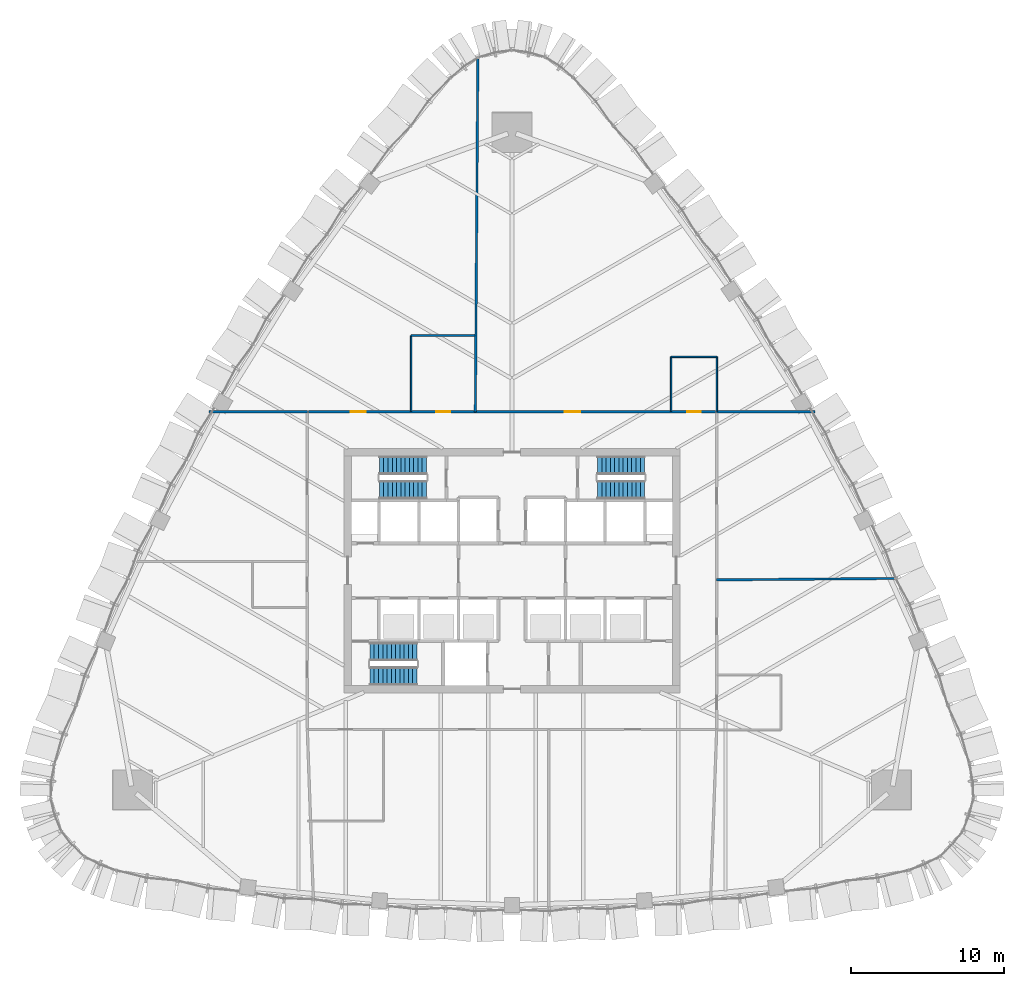
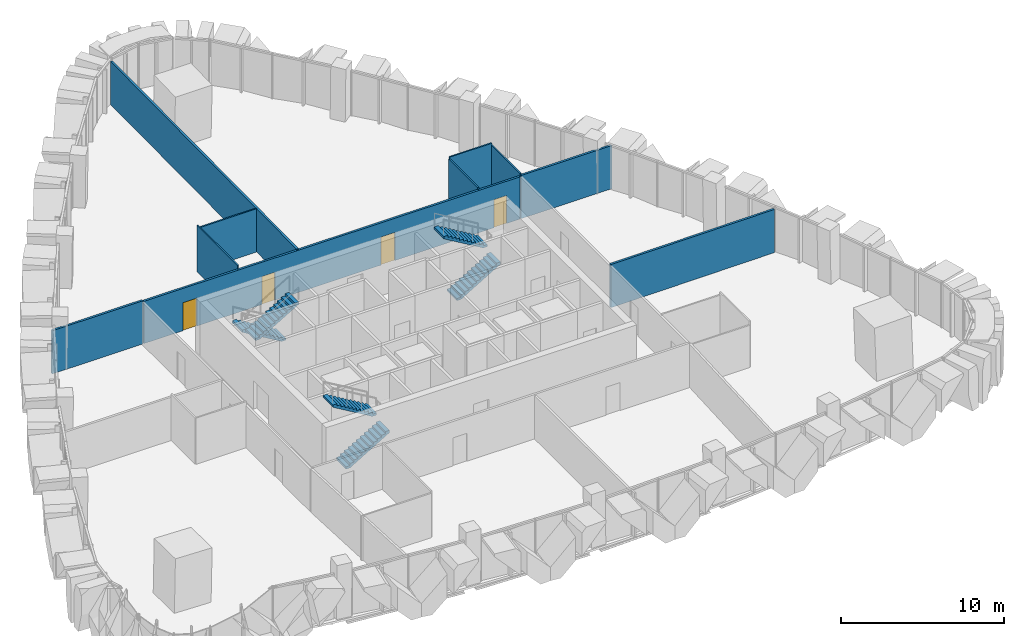
# One storey, part 14 of 18: 10 walls, 6 stair flights, 4 doors, 4 openings, 3 elements without a shape of their own.
"""IFC4 building model written with IfcOpenShell, lengths in metres."""

from ifc_helpers import new_model, si_unit, direction, frame, frame_2d, origin, place, context, subcontext, project, spatial, polyline, rectangle, outline, extrude, material, layer, layer_set, type_object, element, fill, aggregate, save


model = new_model("IFC4")

# Units and contexts
model_context = context("Model", 3, precision=1e-05, world=origin(), true_north=direction((0.0, 1.0)))
body_context = subcontext(model_context, "Body", "Model", "MODEL_VIEW")
ifc_project = project(units=[si_unit("LENGTHUNIT", "METRE"), si_unit("AREAUNIT", "SQUARE_METRE"), si_unit("VOLUMEUNIT", "CUBIC_METRE"), si_unit("PLANEANGLEUNIT", "RADIAN"), si_unit("MASSUNIT", "GRAM", prefix="KILO")], contexts=[model_context])

# Site, building, storey
site_placement = place(None, origin())
site = spatial("IfcSite", under=ifc_project, at=site_placement, CompositionType="ELEMENT")
building_placement = place(site_placement, origin())
building = spatial("IfcBuilding", under=site, at=building_placement, Name="Sierra Prisma Convention Tower", CompositionType="ELEMENT")
storey_placement = place(building_placement, frame((0.0, 0.0, 133.800048828125)))
storey = spatial("IfcBuildingStorey", under=building, at=storey_placement, Name="L28", CompositionType="ELEMENT", Elevation=133.800048828125)

# Walls
ifc_material_1 = material(Name="Gypsum board partition", Category="gypsum")
ifc_layer_1 = layer(ifc_material_1, 0.10009765625)
ifc_layer_set_1 = layer_set([ifc_layer_1], Name="Bathroom partition 100")
wall_type_1 = type_object("IfcWallType", Name="Bathroom partition 100", PredefinedType="PARTITIONING", material=ifc_layer_set_1)
wall_1_placement = place(storey_placement, frame((-6.60009765625, 10.429931640625, 0.0), z_axis=(0.0, 0.0, 1.0), x_axis=(0.0, 1.0, 0.0)))
element("IfcWall", 1, at=wall_1_placement, inside=storey, type_object=wall_type_1, Name="Partition L28 bath 5", PredefinedType="PARTITIONING", context=body_context, shape_type="SweptSolid", body=[
    extrude(rectangle(XDim=4.969970703125, YDim=0.10009765625, at=frame_2d((2.48486328125, 0.0))), origin(), (0.0, 0.0, 1.0), 3.449951171875),
])
wall_2_placement = place(storey_placement, frame((-6.60009765625, 15.39990234375, 0.0), z_axis=(0.0, 0.0, 1.0), x_axis=(1.0, 0.0, 0.0)))
element("IfcWall", 2, at=wall_2_placement, inside=storey, type_object=wall_type_1, Name="Partition L28 bath 6", PredefinedType="PARTITIONING", context=body_context, shape_type="SweptSolid", body=[
    extrude(rectangle(XDim=4.170166015625, YDim=0.10009765625, at=frame_2d((2.0849609375, 0.0))), origin(), (0.0, 0.0, 1.0), 3.2470703125),
])
wall_3_placement = place(storey_placement, frame((10.419921875, 10.429931640625, 0.0), z_axis=(0.0, 0.0, 1.0), x_axis=(0.0, 1.0, 0.0)))
element("IfcWall", 3, at=wall_3_placement, inside=storey, type_object=wall_type_1, Name="Partition L28 bath 7", PredefinedType="PARTITIONING", context=body_context, shape_type="SweptSolid", body=[
    extrude(rectangle(XDim=3.570068359375, YDim=0.10009765625, at=frame_2d((1.78515625, 0.0))), origin(), (0.0, 0.0, 1.0), 3.31689453125),
])
wall_4_placement = place(storey_placement, frame((10.419921875, 14.0, 0.0), z_axis=(0.0, 0.0, 1.0), x_axis=(1.0, 0.0, 0.0)))
element("IfcWall", 4, at=wall_4_placement, inside=storey, type_object=wall_type_1, Name="Partition L28 bath 8", PredefinedType="PARTITIONING", context=body_context, shape_type="SweptSolid", body=[
    extrude(rectangle(XDim=3.0, YDim=0.10009765625, at=frame_2d((1.5, 0.0))), origin(), (0.0, 0.0, 1.0), 3.449951171875),
])
wall_5_placement = place(storey_placement, frame((13.419921875, 14.0, 0.0), z_axis=(0.0, 0.0, 1.0), x_axis=(0.0, -1.0, 0.0)))
element("IfcWall", 5, at=wall_5_placement, inside=storey, type_object=wall_type_1, Name="Partition L28 bath 9", PredefinedType="PARTITIONING", context=body_context, shape_type="SweptSolid", body=[
    extrude(rectangle(XDim=3.570068359375, YDim=0.10009765625, at=frame_2d((1.78515625, 0.0))), origin(), (0.0, 0.0, 1.0), 3.31689453125),
])

# Wall, openings, doors
ifc_material_2 = material(Name="Gypsum board partition", Category="gypsum")
ifc_layer_2 = layer(ifc_material_2, 0.14990234375)
ifc_layer_set_2 = layer_set([ifc_layer_2], Name="Corridor wall 150 gypsum EI 60")
wall_type_2 = type_object("IfcWallType", Name="Corridor wall 150 gypsum EI 60", PredefinedType="PARTITIONING", material=ifc_layer_set_2)
wall_6_placement = place(storey_placement, frame((13.320068359375, 10.39990234375, 0.0), z_axis=(0.0, 0.0, 1.0), x_axis=(-1.0, 0.0, 0.0)))
wall_6 = element("IfcWall", 6, at=wall_6_placement, inside=storey, type_object=wall_type_2, Name="Partition L28 corr 3", PredefinedType="PARTITIONING", context=body_context, shape_type="SweptSolid", body=[
    extrude(rectangle(XDim=26.64013671875, YDim=0.14990234375, at=frame_2d((13.320068359375, 0.0))), origin(), (0.0, 0.0, 1.0), 3.166015625),
])
opening_1_placement = place(wall_6_placement, frame((0.949951171875, 0.0, 0.0)))
opening_1 = element("IfcOpeningElement", 7, at=opening_1_placement, cuts=wall_6, Name="Opening L28-D024", PredefinedType="OPENING", context=body_context, shape_type="SweptSolid", body=[
    extrude(rectangle(XDim=0.89990234375, YDim=2.10009765625, at=frame_2d((0.449951171875, 1.050048828125))), frame((0.0, 0.074951171875, 0.0), z_axis=(0.0, -1.0, 0.0), x_axis=(1.0, 0.0, 0.0)), (0.0, 0.0, 1.0), 0.14990234375),
])
opening_2_placement = place(wall_6_placement, frame((8.860107421875, 0.0, 0.0)))
opening_2 = element("IfcOpeningElement", 8, at=opening_2_placement, cuts=wall_6, Name="Opening L28-D025", PredefinedType="OPENING", context=body_context, shape_type="SweptSolid", body=[
    extrude(rectangle(XDim=1.0, YDim=2.10009765625, at=frame_2d((0.5, 1.050048828125))), frame((0.0, 0.074951171875, 0.0), z_axis=(0.0, -1.0, 0.0), x_axis=(1.0, 0.0, 0.0)), (0.0, 0.0, 1.0), 0.14990234375),
])
opening_3_placement = place(wall_6_placement, frame((17.3701171875, 0.0, 0.0)))
opening_3 = element("IfcOpeningElement", 9, at=opening_3_placement, cuts=wall_6, Name="Opening L28-D026", PredefinedType="OPENING", context=body_context, shape_type="SweptSolid", body=[
    extrude(rectangle(XDim=0.89990234375, YDim=2.10009765625, at=frame_2d((0.449951171875, 1.050048828125))), frame((0.0, 0.074951171875, 0.0), z_axis=(0.0, -1.0, 0.0), x_axis=(1.0, 0.0, 0.0)), (0.0, 0.0, 1.0), 0.14990234375),
])
opening_4_placement = place(wall_6_placement, frame((22.8798828125, 0.0, 0.0)))
opening_4 = element("IfcOpeningElement", 10, at=opening_4_placement, cuts=wall_6, Name="Opening L28-D027", PredefinedType="OPENING", context=body_context, shape_type="SweptSolid", body=[
    extrude(rectangle(XDim=1.0, YDim=2.10009765625, at=frame_2d((0.5, 1.050048828125))), frame((0.0, 0.074951171875, 0.0), z_axis=(0.0, -1.0, 0.0), x_axis=(1.0, 0.0, 0.0)), (0.0, 0.0, 1.0), 0.14990234375),
])
ifc_material_3 = material(Name="Steel fire door leaf", Category="steel")
door_type_1 = type_object("IfcDoorType", Name="Door 1000x2100 FD30S", OperationType="SINGLE_SWING_LEFT", PredefinedType="DOOR", material=ifc_material_3)
door_1_placement = place(opening_2_placement, origin())
door_1 = element("IfcDoor", 11, at=door_1_placement, inside=storey, type_object=door_type_1, Name="Door L28 3", OperationType="SINGLE_SWING_RIGHT", OverallHeight=2.10009765625, OverallWidth=1.0, PredefinedType="DOOR", context=body_context, shape_type="SweptSolid", body=[
    extrude(rectangle(XDim=1.0, YDim=2.10009765625, at=frame_2d((0.5, 1.050048828125))), frame((0.0, 0.02490234375, 0.0), z_axis=(0.0, -1.0, 0.0), x_axis=(1.0, 0.0, 0.0)), (0.0, 0.0, 1.0), 0.050048828125),
])
fill(opening_2, door_1)
door_2_placement = place(opening_4_placement, origin())
door_2 = element("IfcDoor", 12, at=door_2_placement, inside=storey, type_object=door_type_1, Name="Door L28 5", OperationType="SINGLE_SWING_RIGHT", OverallHeight=2.10009765625, OverallWidth=1.0, PredefinedType="DOOR", context=body_context, shape_type="SweptSolid", body=[
    extrude(rectangle(XDim=1.0, YDim=2.10009765625, at=frame_2d((0.5, 1.050048828125))), frame((0.0, 0.02490234375, 0.0), z_axis=(0.0, -1.0, 0.0), x_axis=(1.0, 0.0, 0.0)), (0.0, 0.0, 1.0), 0.050048828125),
])
fill(opening_4, door_2)
ifc_material_4 = material(Name="Steel fire door leaf", Category="steel")
door_type_2 = type_object("IfcDoorType", Name="Door 900x2100 FD30S", OperationType="SINGLE_SWING_LEFT", PredefinedType="DOOR", material=ifc_material_4)
door_3_placement = place(opening_1_placement, origin())
door_3 = element("IfcDoor", 13, at=door_3_placement, inside=storey, type_object=door_type_2, Name="Door L28 2", OperationType="SINGLE_SWING_RIGHT", OverallHeight=2.10009765625, OverallWidth=0.89990234375, PredefinedType="DOOR", context=body_context, shape_type="SweptSolid", body=[
    extrude(rectangle(XDim=0.89990234375, YDim=2.10009765625, at=frame_2d((0.449951171875, 1.050048828125))), frame((0.0, 0.02490234375, 0.0), z_axis=(0.0, -1.0, 0.0), x_axis=(1.0, 0.0, 0.0)), (0.0, 0.0, 1.0), 0.050048828125),
])
fill(opening_1, door_3)
door_4_placement = place(opening_3_placement, origin())
door_4 = element("IfcDoor", 14, at=door_4_placement, inside=storey, type_object=door_type_2, Name="Door L28 4", OperationType="SINGLE_SWING_RIGHT", OverallHeight=2.10009765625, OverallWidth=0.89990234375, PredefinedType="DOOR", context=body_context, shape_type="SweptSolid", body=[
    extrude(rectangle(XDim=0.89990234375, YDim=2.10009765625, at=frame_2d((0.449951171875, 1.050048828125))), frame((0.0, 0.02490234375, 0.0), z_axis=(0.0, -1.0, 0.0), x_axis=(1.0, 0.0, 0.0)), (0.0, 0.0, 1.0), 0.050048828125),
])
fill(opening_3, door_4)

# Walls
ifc_material_5 = material(Name="Gypsum board partition", Category="gypsum")
ifc_layer_3 = layer(ifc_material_5, 0.14990234375)
ifc_layer_set_3 = layer_set([ifc_layer_3], Name="Party wall 150 gypsum")
wall_type_3 = type_object("IfcWallType", Name="Party wall 150 gypsum", PredefinedType="PARTITIONING", material=ifc_layer_set_3)
wall_7_placement = place(storey_placement, frame((-13.39990234375, 10.39990234375, 0.0), z_axis=(0.0, 0.0, 1.0), x_axis=(-1.0, 0.0, 0.0)))
element("IfcWall", 15, at=wall_7_placement, inside=storey, type_object=wall_type_3, Name="Partition L28 party 2", PredefinedType="PARTITIONING", context=body_context, shape_type="SweptSolid", body=[
    extrude(rectangle(XDim=6.427001953125, YDim=0.14990234375, at=frame_2d((3.21337890625, 0.0))), origin(), (0.0, 0.0, 1.0), 3.23388671875),
])
wall_8_placement = place(storey_placement, frame((-2.39990234375, 10.39990234375, 0.0), z_axis=(0.0, 0.0, 1.0), x_axis=(0.007059269278, 0.999975083048, 0.0)))
element("IfcWall", 16, at=wall_8_placement, inside=storey, type_object=wall_type_3, Name="Partition L28 party 4", PredefinedType="PARTITIONING", context=body_context, shape_type="SweptSolid", body=[
    extrude(rectangle(XDim=23.102294921875, YDim=0.14990234375, at=frame_2d((11.55126953125, 0.0))), origin(), (0.0, 0.0, 1.0), 3.23388671875),
])
wall_9_placement = place(storey_placement, frame((25.039794921875, -0.506103515625, 0.0), z_axis=(0.0, 0.0, 1.0), x_axis=(-0.999967397389, -0.008074909243, 0.0)))
element("IfcWall", 17, at=wall_9_placement, inside=storey, type_object=wall_type_3, Name="Partition L28 party 7", PredefinedType="PARTITIONING", context=body_context, shape_type="SweptSolid", body=[
    extrude(rectangle(XDim=11.640380859375, YDim=0.14990234375, at=frame_2d((5.8203125, 0.0))), origin(), (0.0, 0.0, 1.0), 3.23388671875),
])
wall_10_placement = place(storey_placement, frame((13.39990234375, 10.39990234375, 0.0), z_axis=(0.0, 0.0, 1.0), x_axis=(1.0, 0.0, 0.0)))
element("IfcWall", 18, at=wall_10_placement, inside=storey, type_object=wall_type_3, Name="Partition L28 party 8", PredefinedType="PARTITIONING", context=body_context, shape_type="SweptSolid", body=[
    extrude(rectangle(XDim=6.427001953125, YDim=0.14990234375, at=frame_2d((3.21337890625, 0.0))), origin(), (0.0, 0.0, 1.0), 3.23388671875),
])

# Stair, stair flights
ifc_material_6 = material(Name="Concrete C30/37", Category="concrete")
stair_type = type_object("IfcStairType", Name="Stair dog-leg 1200 RC", PredefinedType="HALF_TURN_STAIR", material=ifc_material_6)
stair_1_placement = place(storey_placement, origin())
stair_1 = element("IfcStair", 19, at=stair_1_placement, inside=storey, type_object=stair_type, Name="L28 S1", PredefinedType="HALF_TURN_STAIR")
ifc_material_7 = material(Name="Concrete C30/37", Category="concrete")
stair_flight_type = type_object("IfcStairFlightType", Name="Stair flight RC 1200", PredefinedType="STRAIGHT", material=ifc_material_7)
stair_flight_1_placement = place(storey_placement, frame((-9.300048828125, -6.89990234375, 0.0), z_axis=(0.0, 0.0, 1.0), x_axis=(1.0, 0.0, 0.0)))
stair_flight_1 = element("IfcStairFlight", 20, at=stair_flight_1_placement, type_object=stair_flight_type, Name="S1 flight 1", NumberOfRisers=12, NumberOfTreads=11, PredefinedType="STRAIGHT", RiserHeight=0.166666667, TreadLength=0.28, context=body_context, shape_type="SweptSolid", body=[
    extrude(outline(polyline([(0.0, 0.0), (0.0, 0.166748046875), (0.280029296875, 0.166748046875), (0.280029296875, 0.333251953125), (0.56005859375, 0.333251953125), (0.56005859375, 0.5), (0.840087890625, 0.5), (0.840087890625, 0.666748046875), (1.1201171875, 0.666748046875), (1.1201171875, 0.833251953125), (1.39990234375, 0.833251953125), (1.39990234375, 1.0), (1.679931640625, 1.0), (1.679931640625, 1.166748046875), (1.9599609375, 1.166748046875), (1.9599609375, 1.333251953125), (2.239990234375, 1.333251953125), (2.239990234375, 1.5), (2.52001953125, 1.5), (2.52001953125, 1.666748046875), (2.800048828125, 1.666748046875), (2.800048828125, 1.833251953125), (3.080078125, 1.833251953125), (3.080078125, 2.0), (3.080078125, 1.658935546875), (0.29296875, 0.0), (0.0, 0.0)])), frame((0.0, 0.60009765625, 0.0), z_axis=(0.0, -1.0, 0.0), x_axis=(1.0, 0.0, 0.0)), (0.0, 0.0, 1.0), 1.199951171875),
])
stair_flight_2_placement = place(storey_placement, frame((-6.219970703125, -5.300048828125, 2.0), z_axis=(0.0, 0.0, 1.0), x_axis=(-1.0, 0.0, 0.0)))
stair_flight_2 = element("IfcStairFlight", 21, at=stair_flight_2_placement, type_object=stair_flight_type, Name="S1 flight 2", NumberOfRisers=12, NumberOfTreads=11, PredefinedType="STRAIGHT", RiserHeight=0.166666667, TreadLength=0.28, context=body_context, shape_type="SweptSolid", body=[
    extrude(outline(polyline([(0.0, 0.0), (0.0, 0.166748046875), (0.280029296875, 0.166748046875), (0.280029296875, 0.333251953125), (0.56005859375, 0.333251953125), (0.56005859375, 0.5), (0.840087890625, 0.5), (0.840087890625, 0.666748046875), (1.1201171875, 0.666748046875), (1.1201171875, 0.833251953125), (1.39990234375, 0.833251953125), (1.39990234375, 1.0), (1.679931640625, 1.0), (1.679931640625, 1.166748046875), (1.9599609375, 1.166748046875), (1.9599609375, 1.333251953125), (2.239990234375, 1.333251953125), (2.239990234375, 1.5), (2.52001953125, 1.5), (2.52001953125, 1.666748046875), (2.800048828125, 1.666748046875), (2.800048828125, 1.833251953125), (3.080078125, 1.833251953125), (3.080078125, 2.0), (3.080078125, 1.658935546875), (0.29296875, 0.0), (0.0, 0.0)])), frame((0.0, 0.60009765625, 0.0), z_axis=(0.0, -1.0, 0.0), x_axis=(1.0, 0.0, 0.0)), (0.0, 0.0, 1.0), 1.199951171875),
])
aggregate(stair_1, [stair_flight_1, stair_flight_2])

stair_2_placement = place(storey_placement, origin())
stair_2 = element("IfcStair", 22, at=stair_2_placement, inside=storey, type_object=stair_type, Name="L28 S3", PredefinedType="HALF_TURN_STAIR")
stair_flight_3_placement = place(storey_placement, frame((-5.60009765625, 6.89990234375, 0.0), z_axis=(0.0, 0.0, 1.0), x_axis=(-1.0, 0.0, 0.0)))
stair_flight_3 = element("IfcStairFlight", 23, at=stair_flight_3_placement, type_object=stair_flight_type, Name="S3 flight 1", NumberOfRisers=12, NumberOfTreads=11, PredefinedType="STRAIGHT", RiserHeight=0.166666667, TreadLength=0.28, context=body_context, shape_type="SweptSolid", body=[
    extrude(outline(polyline([(0.0, 0.0), (0.0, 0.166748046875), (0.280029296875, 0.166748046875), (0.280029296875, 0.333251953125), (0.56005859375, 0.333251953125), (0.56005859375, 0.5), (0.840087890625, 0.5), (0.840087890625, 0.666748046875), (1.1201171875, 0.666748046875), (1.1201171875, 0.833251953125), (1.39990234375, 0.833251953125), (1.39990234375, 1.0), (1.679931640625, 1.0), (1.679931640625, 1.166748046875), (1.9599609375, 1.166748046875), (1.9599609375, 1.333251953125), (2.239990234375, 1.333251953125), (2.239990234375, 1.5), (2.52001953125, 1.5), (2.52001953125, 1.666748046875), (2.800048828125, 1.666748046875), (2.800048828125, 1.833251953125), (3.080078125, 1.833251953125), (3.080078125, 2.0), (3.080078125, 1.658935546875), (0.29296875, 0.0), (0.0, 0.0)])), frame((0.0, 0.60009765625, 0.0), z_axis=(0.0, -1.0, 0.0), x_axis=(1.0, 0.0, 0.0)), (0.0, 0.0, 1.0), 1.199951171875),
])
stair_flight_4_placement = place(storey_placement, frame((-8.679931640625, 5.300048828125, 2.0), z_axis=(0.0, 0.0, 1.0), x_axis=(1.0, 0.0, 0.0)))
stair_flight_4 = element("IfcStairFlight", 24, at=stair_flight_4_placement, type_object=stair_flight_type, Name="S3 flight 2", NumberOfRisers=12, NumberOfTreads=11, PredefinedType="STRAIGHT", RiserHeight=0.166666667, TreadLength=0.28, context=body_context, shape_type="SweptSolid", body=[
    extrude(outline(polyline([(0.0, 0.0), (0.0, 0.166748046875), (0.280029296875, 0.166748046875), (0.280029296875, 0.333251953125), (0.56005859375, 0.333251953125), (0.56005859375, 0.5), (0.840087890625, 0.5), (0.840087890625, 0.666748046875), (1.1201171875, 0.666748046875), (1.1201171875, 0.833251953125), (1.39990234375, 0.833251953125), (1.39990234375, 1.0), (1.679931640625, 1.0), (1.679931640625, 1.166748046875), (1.9599609375, 1.166748046875), (1.9599609375, 1.333251953125), (2.239990234375, 1.333251953125), (2.239990234375, 1.5), (2.52001953125, 1.5), (2.52001953125, 1.666748046875), (2.800048828125, 1.666748046875), (2.800048828125, 1.833251953125), (3.080078125, 1.833251953125), (3.080078125, 2.0), (3.080078125, 1.658935546875), (0.29296875, 0.0), (0.0, 0.0)])), frame((0.0, 0.60009765625, 0.0), z_axis=(0.0, -1.0, 0.0), x_axis=(1.0, 0.0, 0.0)), (0.0, 0.0, 1.0), 1.199951171875),
])
aggregate(stair_2, [stair_flight_3, stair_flight_4])

stair_3_placement = place(storey_placement, origin())
stair_3 = element("IfcStair", 25, at=stair_3_placement, inside=storey, type_object=stair_type, Name="L28 S4", PredefinedType="HALF_TURN_STAIR")
stair_flight_5_placement = place(storey_placement, frame((5.60009765625, 5.300048828125, 0.0), z_axis=(0.0, 0.0, 1.0), x_axis=(1.0, 0.0, 0.0)))
stair_flight_5 = element("IfcStairFlight", 26, at=stair_flight_5_placement, type_object=stair_flight_type, Name="S4 flight 1", NumberOfRisers=12, NumberOfTreads=11, PredefinedType="STRAIGHT", RiserHeight=0.166666667, TreadLength=0.28, context=body_context, shape_type="SweptSolid", body=[
    extrude(outline(polyline([(0.0, 0.0), (0.0, 0.166748046875), (0.280029296875, 0.166748046875), (0.280029296875, 0.333251953125), (0.56005859375, 0.333251953125), (0.56005859375, 0.5), (0.840087890625, 0.5), (0.840087890625, 0.666748046875), (1.1201171875, 0.666748046875), (1.1201171875, 0.833251953125), (1.39990234375, 0.833251953125), (1.39990234375, 1.0), (1.679931640625, 1.0), (1.679931640625, 1.166748046875), (1.9599609375, 1.166748046875), (1.9599609375, 1.333251953125), (2.239990234375, 1.333251953125), (2.239990234375, 1.5), (2.52001953125, 1.5), (2.52001953125, 1.666748046875), (2.800048828125, 1.666748046875), (2.800048828125, 1.833251953125), (3.080078125, 1.833251953125), (3.080078125, 2.0), (3.080078125, 1.658935546875), (0.29296875, 0.0), (0.0, 0.0)])), frame((0.0, 0.60009765625, 0.0), z_axis=(0.0, -1.0, 0.0), x_axis=(1.0, 0.0, 0.0)), (0.0, 0.0, 1.0), 1.199951171875),
])
stair_flight_6_placement = place(storey_placement, frame((8.679931640625, 6.89990234375, 2.0), z_axis=(0.0, 0.0, 1.0), x_axis=(-1.0, 0.0, 0.0)))
stair_flight_6 = element("IfcStairFlight", 27, at=stair_flight_6_placement, type_object=stair_flight_type, Name="S4 flight 2", NumberOfRisers=12, NumberOfTreads=11, PredefinedType="STRAIGHT", RiserHeight=0.166666667, TreadLength=0.28, context=body_context, shape_type="SweptSolid", body=[
    extrude(outline(polyline([(0.0, 0.0), (0.0, 0.166748046875), (0.280029296875, 0.166748046875), (0.280029296875, 0.333251953125), (0.56005859375, 0.333251953125), (0.56005859375, 0.5), (0.840087890625, 0.5), (0.840087890625, 0.666748046875), (1.1201171875, 0.666748046875), (1.1201171875, 0.833251953125), (1.39990234375, 0.833251953125), (1.39990234375, 1.0), (1.679931640625, 1.0), (1.679931640625, 1.166748046875), (1.9599609375, 1.166748046875), (1.9599609375, 1.333251953125), (2.239990234375, 1.333251953125), (2.239990234375, 1.5), (2.52001953125, 1.5), (2.52001953125, 1.666748046875), (2.800048828125, 1.666748046875), (2.800048828125, 1.833251953125), (3.080078125, 1.833251953125), (3.080078125, 2.0), (3.080078125, 1.658935546875), (0.29296875, 0.0), (0.0, 0.0)])), frame((0.0, 0.60009765625, 0.0), z_axis=(0.0, -1.0, 0.0), x_axis=(1.0, 0.0, 0.0)), (0.0, 0.0, 1.0), 1.199951171875),
])
aggregate(stair_3, [stair_flight_5, stair_flight_6])

save(model, "model.ifc")
